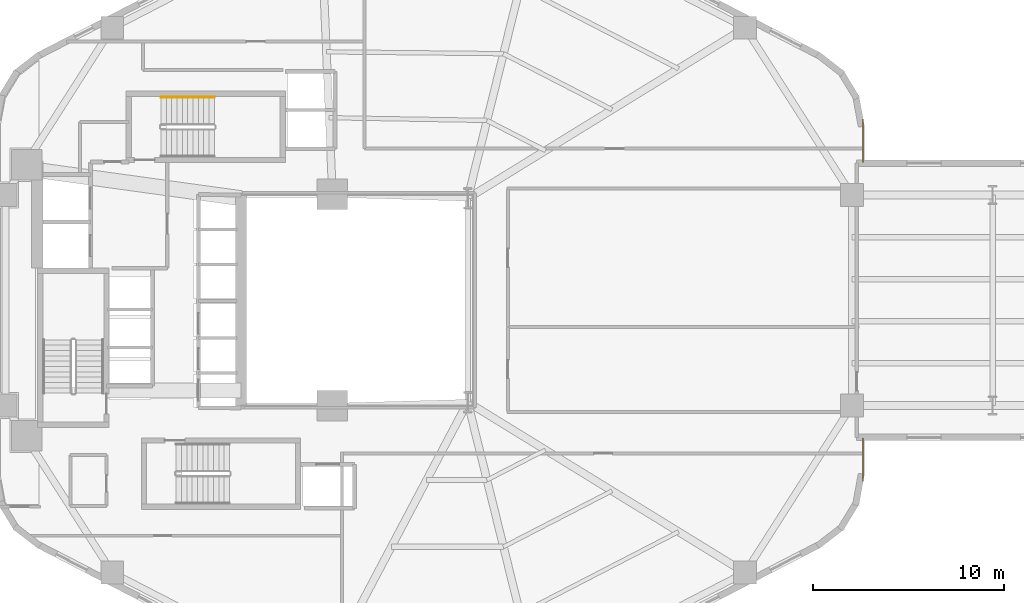
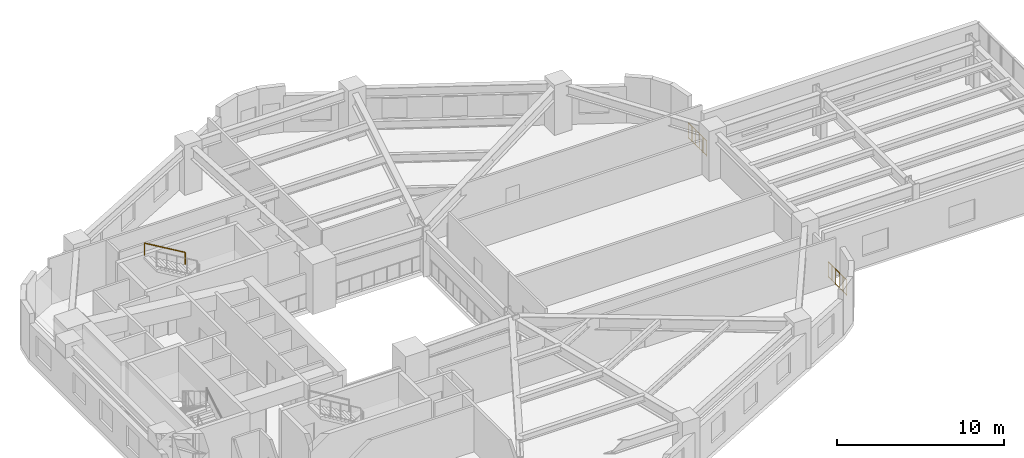
# One storey, part 10 of 10: 3 railings.
"""IFC4 building model written with IfcOpenShell, lengths in metres."""

from ifc_helpers import new_model, si_unit, direction, frame, origin, origin_2d, place, context, subcontext, project, spatial, circle, extrude, material, type_object, element, save


model = new_model("IFC4")

# Units and contexts
model_context = context("Model", 3, precision=1e-05, world=origin(), true_north=direction((0.0, 1.0)))
body_context = subcontext(model_context, "Body", "Model", "MODEL_VIEW")
ifc_project = project(units=[si_unit("LENGTHUNIT", "METRE"), si_unit("AREAUNIT", "SQUARE_METRE"), si_unit("VOLUMEUNIT", "CUBIC_METRE"), si_unit("PLANEANGLEUNIT", "RADIAN"), si_unit("MASSUNIT", "GRAM", prefix="KILO"), si_unit("THERMODYNAMICTEMPERATUREUNIT", "KELVIN"), si_unit("POWERUNIT", "WATT")], contexts=[model_context])

# Site, building, storey
site_placement = place(None, origin())
site = spatial("IfcSite", under=ifc_project, at=site_placement, CompositionType="ELEMENT")
building_placement = place(site_placement, origin())
building = spatial("IfcBuilding", under=site, at=building_placement, Name="Skarre Station Tower", CompositionType="ELEMENT")
storey_placement = place(building_placement, frame((0.0, 0.0, 56.199951171875)))
storey = spatial("IfcBuildingStorey", under=building, at=storey_placement, Name="L14", CompositionType="ELEMENT", Elevation=56.199951171875)

# Railings
ifc_material_1 = material(Name="Stainless Steel Grade 316L & Laminated Safety Glass", Category="steel")
railing_type_1 = type_object("IfcRailingType", Name="Laminated Glass & Stainless Terrace Guardrail 1150", PredefinedType="BALUSTRADE", material=ifc_material_1)
for number, where, name in (
    (1, (60.193115234375, 33.47607421875, 0.0), "L14 SB-1 Shoulder Ledge Guardrail 1"),
    (2, (60.193115234375, 16.72998046875, 0.0), "L14 SB-1 Shoulder Ledge Guardrail 2"),
):
    element("IfcRailing", number, at=place(storey_placement, frame(where)), inside=storey, type_object=railing_type_1, Name=name, PredefinedType="BALUSTRADE", context=body_context, shape_type="SweptSolid", body=[
        extrude(circle(Radius=0.02392578125, at=origin_2d()), frame((0.0, 0.0, 1.1259765625), z_axis=(0.0, -1.0, 0.0), x_axis=(1.0, 0.0, 0.0)), (0.0, 0.0, 1.0), 2.2060546875),
        extrude(circle(Radius=0.02099609375, at=origin_2d()), frame((0.0, 0.0, 0.06005859375), z_axis=(0.0, -1.0, 0.0), x_axis=(1.0, 0.0, 0.0)), (0.0, 0.0, 1.0), 2.2060546875),
        extrude(circle(Radius=0.02099609375, at=origin_2d()), origin(), (0.0, 0.0, 1.0), 1.101806640625),
        extrude(circle(Radius=0.02099609375, at=origin_2d()), frame((0.0, -0.441162109375, 0.0)), (0.0, 0.0, 1.0), 1.101806640625),
        extrude(circle(Radius=0.02099609375, at=origin_2d()), frame((0.0, -0.88232421875, 0.0)), (0.0, 0.0, 1.0), 1.101806640625),
        extrude(circle(Radius=0.02099609375, at=origin_2d()), frame((0.0, -1.32373046875, 0.0)), (0.0, 0.0, 1.0), 1.101806640625),
        extrude(circle(Radius=0.02099609375, at=origin_2d()), frame((0.0, -1.764892578125, 0.0)), (0.0, 0.0, 1.0), 1.101806640625),
        extrude(circle(Radius=0.02099609375, at=origin_2d()), frame((0.0, -2.2060546875, 0.0)), (0.0, 0.0, 1.0), 1.101806640625),
    ])
ifc_material_2 = material(Name="Powder-Coated Tubular Steel", Category="steel")
railing_type_2 = type_object("IfcRailingType", Name="Painted Steel Ramp & Stair Handrail 920", PredefinedType="HANDRAIL", material=ifc_material_2)
railing_placement = place(storey_placement, frame((26.14990234375, 34.64990234375, 1.990966796875)))
element("IfcRailing", 3, at=railing_placement, inside=storey, type_object=railing_type_2, Name="L14 ST-3 stair handrail 2", PredefinedType="HANDRAIL", context=body_context, shape_type="SweptSolid", body=[
    extrude(circle(Radius=0.02392578125, at=origin_2d()), frame((0.0, 0.0, 0.8759765625), z_axis=(-0.860286659441, 0.0, 0.509810615413), x_axis=(0.0, -1.0, 0.0)), (0.0, 0.0, 1.0), 3.25439453125),
    extrude(circle(Radius=0.02099609375, at=origin_2d()), origin(), (0.0, 0.0, 1.0), 0.851806640625),
    extrude(circle(Radius=0.02099609375, at=origin_2d()), frame((-2.7998046875, 0.0, 1.6591796875)), (0.0, 0.0, 1.0), 0.851806640625),
])

save(model, "model.ifc")
